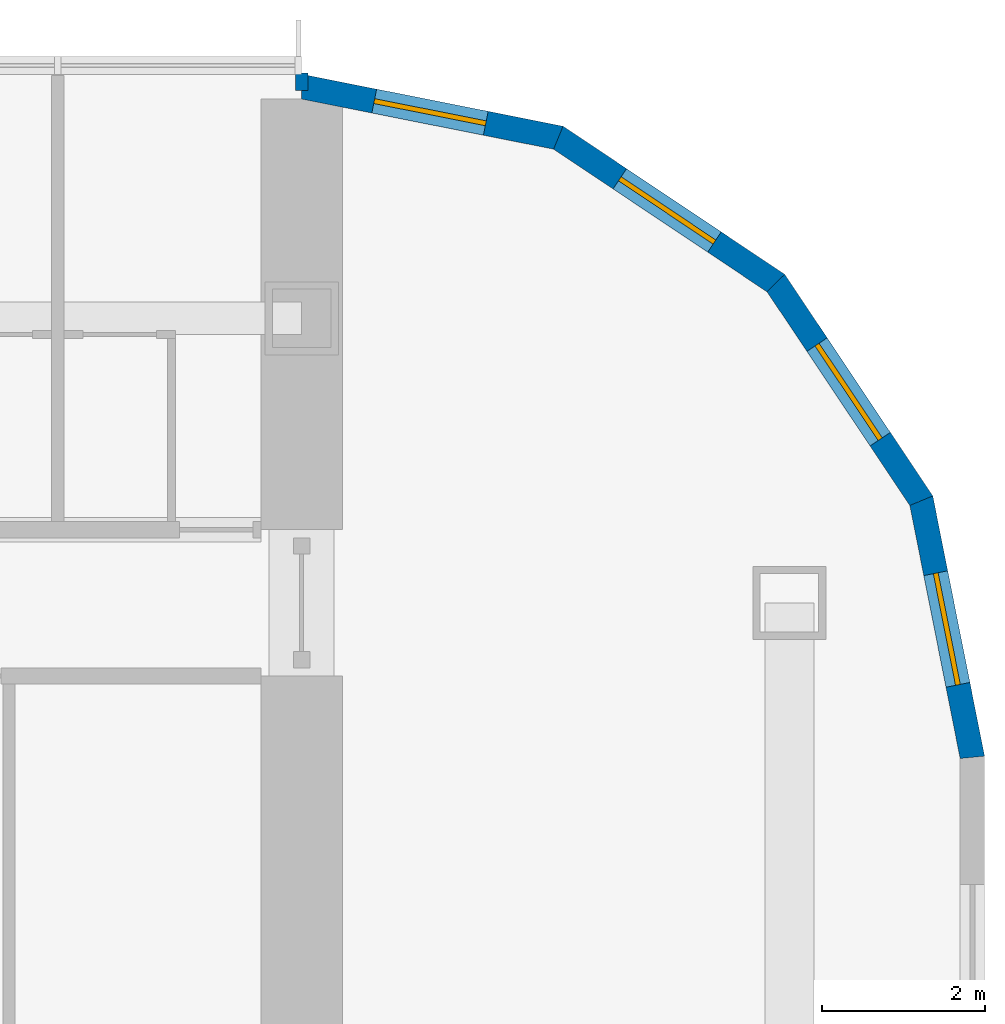
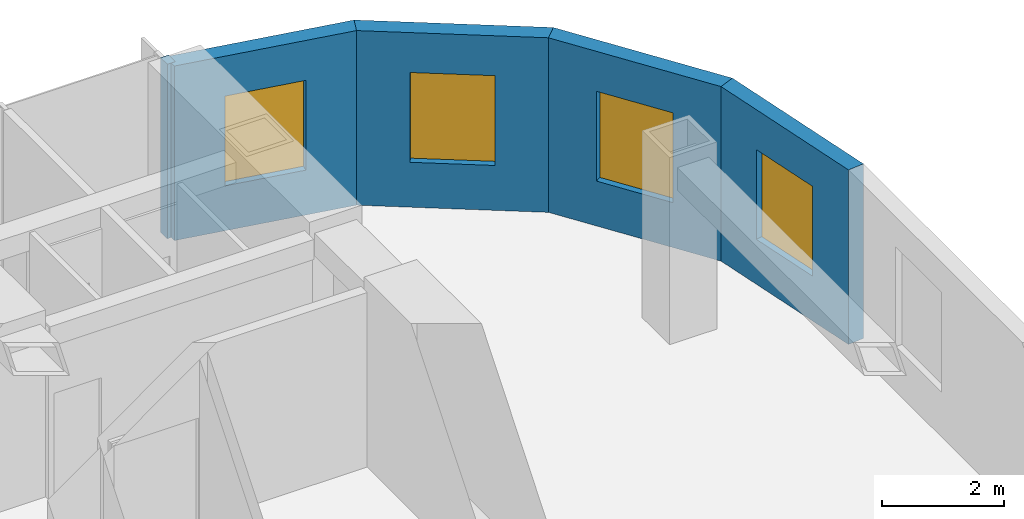
# One storey, part 20 of 25: 5 walls, 4 windows, 4 openings.
"""IFC4 building model written with IfcOpenShell, lengths in metres."""

from ifc_helpers import new_model, si_unit, direction, frame, frame_2d, origin, place, context, subcontext, project, spatial, polyline, rectangle, outline, extrude, material, layer, layer_set, type_object, element, fill, save


model = new_model("IFC4")

# Units and contexts
model_context = context("Model", 3, precision=1e-05, world=origin(), true_north=direction((0.0, 1.0)))
body_context = subcontext(model_context, "Body", "Model", "MODEL_VIEW")
ifc_project = project(units=[si_unit("LENGTHUNIT", "METRE"), si_unit("AREAUNIT", "SQUARE_METRE"), si_unit("VOLUMEUNIT", "CUBIC_METRE"), si_unit("PLANEANGLEUNIT", "RADIAN"), si_unit("MASSUNIT", "GRAM", prefix="KILO")], contexts=[model_context])

# Site, building, storey
site_placement = place(None, origin())
site = spatial("IfcSite", under=ifc_project, at=site_placement, CompositionType="ELEMENT")
building_placement = place(site_placement, origin())
building = spatial("IfcBuilding", under=site, at=building_placement, Name="Orbita Commons", CompositionType="ELEMENT")
storey_placement = place(building_placement, frame((0.0, 0.0, 31.449951171875)))
storey = spatial("IfcBuildingStorey", under=building, at=storey_placement, Name="L07", CompositionType="ELEMENT", Elevation=31.449951171875)

# Wall
ifc_material_1 = material(Name="Gypsum plasterboard on steel studs", Category="steel")
ifc_layer_1 = layer(ifc_material_1, 0.14990234375)
ifc_layer_set_1 = layer_set([ifc_layer_1], Name="Gypsum plasterboard on steel studs")
wall_type_1 = type_object("IfcWallType", Name="Partition 150 plasterboard", PredefinedType="PARTITIONING", material=ifc_layer_set_1)
wall_1_placement = place(storey_placement, frame((72.0, 56.39990234375, 0.0), z_axis=(0.0, 0.0, 1.0), x_axis=(0.0, 1.0, 0.0)))
element("IfcWall", 1, at=wall_1_placement, inside=storey, type_object=wall_type_1, Name="Partition 150 plasterboard L07", PredefinedType="PARTITIONING", context=body_context, shape_type="SweptSolid", body=[
    extrude(rectangle(XDim=0.22021484375, YDim=0.14990234375, at=frame_2d((0.110107421875, 0.0))), origin(), (0.0, 0.0, 1.0), 3.5),
])

# Wall, opening, window
ifc_material_2 = material(Name="Precast concrete C40/50, white board-marked finish", Category="concrete")
ifc_layer_2 = layer(ifc_material_2, 0.300048828125)
ifc_layer_set_2 = layer_set([ifc_layer_2], Name="Precast concrete C40/50, white board-marked finish")
wall_type_2 = type_object("IfcWallType", Name="Precast concrete end shield 300", PredefinedType="SOLIDWALL", material=ifc_layer_set_2)
wall_2_placement = place(storey_placement, frame((80.25, 48.199951171875, 0.0), z_axis=(0.0, 0.0, 1.0), x_axis=(-0.195065901187, 0.980790137692, 0.0)))
wall_2 = element("IfcWall", 2, at=wall_2_placement, inside=storey, type_object=wall_type_2, Name="End shield NE chord 1 L07", PredefinedType="SOLIDWALL", context=body_context, shape_type="SweptSolid", body=[
    extrude(outline(polyline([(-0.014892578125, -0.14990234375), (3.248779296875, -0.14990234375), (3.189208984375, 0.14990234375), (0.014892578125, 0.14990234375), (-0.014892578125, -0.14990234375)])), origin(), (0.0, 0.0, 1.0), 3.5),
])
opening_1_placement = place(wall_2_placement, frame((0.909423828125, 0.0, 0.89990234375)))
opening_1 = element("IfcOpeningElement", 3, at=opening_1_placement, cuts=wall_2, Name="Opening W02", PredefinedType="OPENING", context=body_context, shape_type="SweptSolid", body=[
    extrude(rectangle(XDim=1.39990234375, YDim=1.800048828125, at=frame_2d((0.699951171875, 0.89990234375))), frame((0.0, 0.159912109375, 0.0), z_axis=(0.0, -1.0, 0.0), x_axis=(1.0, 0.0, 0.0)), (0.0, 0.0, 1.0), 0.320068359375),
])
ifc_material_3 = material(Name="Aluminium frame, clear double glazing", Category="aluminium")
window_type = type_object("IfcWindowType", Name="Deep-set window 1400x1800", PartitioningType="SINGLE_PANEL", PredefinedType="WINDOW", material=ifc_material_3)
window_1_placement = place(opening_1_placement, origin())
window_1 = element("IfcWindow", 4, at=window_1_placement, inside=storey, type_object=window_type, Name="Window L07-NE0", OverallHeight=1.800048828125, OverallWidth=1.39990234375, PartitioningType="SINGLE_PANEL", PredefinedType="WINDOW", context=body_context, shape_type="SweptSolid", body=[
    extrude(rectangle(XDim=1.39990234375, YDim=1.800048828125, at=frame_2d((0.699951171875, 0.89990234375))), frame((0.0, 0.030029296875, 0.0), z_axis=(0.0, -1.0, 0.0), x_axis=(1.0, 0.0, 0.0)), (0.0, 0.0, 1.0), 0.06005859375),
])
fill(opening_1, window_1)

wall_3_placement = place(storey_placement, frame((79.6220703125, 51.357177734375, 0.0), z_axis=(0.0, 0.0, 1.0), x_axis=(-0.555609954424, 0.831443069936, 0.0)))
wall_3 = element("IfcWall", 5, at=wall_3_placement, inside=storey, type_object=wall_type_2, Name="End shield NE chord 2 L07", PredefinedType="SOLIDWALL", context=body_context, shape_type="SweptSolid", body=[
    extrude(outline(polyline([(-0.02978515625, -0.14990234375), (3.2490234375, -0.14990234375), (3.189453125, 0.14990234375), (0.02978515625, 0.14990234375), (-0.02978515625, -0.14990234375)])), origin(), (0.0, 0.0, 1.0), 3.5),
])
opening_2_placement = place(wall_3_placement, frame((0.909423828125, 0.0, 0.89990234375)))
opening_2 = element("IfcOpeningElement", 6, at=opening_2_placement, cuts=wall_3, Name="Opening W02", PredefinedType="OPENING", context=body_context, shape_type="SweptSolid", body=[
    extrude(rectangle(XDim=1.39990234375, YDim=1.800048828125, at=frame_2d((0.699951171875, 0.89990234375))), frame((0.0, 0.159912109375, 0.0), z_axis=(0.0, -1.0, 0.0), x_axis=(1.0, 0.0, 0.0)), (0.0, 0.0, 1.0), 0.320068359375),
])
window_2_placement = place(opening_2_placement, origin())
window_2 = element("IfcWindow", 7, at=window_2_placement, inside=storey, type_object=window_type, Name="Window L07-NE1", OverallHeight=1.800048828125, OverallWidth=1.39990234375, PartitioningType="SINGLE_PANEL", PredefinedType="WINDOW", context=body_context, shape_type="SweptSolid", body=[
    extrude(rectangle(XDim=1.39990234375, YDim=1.800048828125, at=frame_2d((0.699951171875, 0.89990234375))), frame((0.0, 0.030029296875, 0.0), z_axis=(0.0, -1.0, 0.0), x_axis=(1.0, 0.0, 0.0)), (0.0, 0.0, 1.0), 0.06005859375),
])
fill(opening_2, window_2)

wall_4_placement = place(storey_placement, frame((77.83349609375, 54.03369140625, 0.0), z_axis=(0.0, 0.0, 1.0), x_axis=(-0.831478105043, 0.555557522525, 0.0)))
wall_4 = element("IfcWall", 8, at=wall_4_placement, inside=storey, type_object=wall_type_2, Name="End shield NE chord 3 L07", PredefinedType="SOLIDWALL", context=body_context, shape_type="SweptSolid", body=[
    extrude(outline(polyline([(-0.02978515625, -0.14990234375), (3.248779296875, -0.14990234375), (3.189208984375, 0.14990234375), (0.02978515625, 0.14990234375), (-0.02978515625, -0.14990234375)])), origin(), (0.0, 0.0, 1.0), 3.5),
])
opening_3_placement = place(wall_4_placement, frame((0.909423828125, 0.0, 0.89990234375)))
opening_3 = element("IfcOpeningElement", 9, at=opening_3_placement, cuts=wall_4, Name="Opening W02", PredefinedType="OPENING", context=body_context, shape_type="SweptSolid", body=[
    extrude(rectangle(XDim=1.39990234375, YDim=1.800048828125, at=frame_2d((0.699951171875, 0.89990234375))), frame((0.0, 0.159912109375, 0.0), z_axis=(0.0, -1.0, 0.0), x_axis=(1.0, 0.0, 0.0)), (0.0, 0.0, 1.0), 0.320068359375),
])
window_3_placement = place(opening_3_placement, origin())
window_3 = element("IfcWindow", 10, at=window_3_placement, inside=storey, type_object=window_type, Name="Window L07-NE2", OverallHeight=1.800048828125, OverallWidth=1.39990234375, PartitioningType="SINGLE_PANEL", PredefinedType="WINDOW", context=body_context, shape_type="SweptSolid", body=[
    extrude(rectangle(XDim=1.39990234375, YDim=1.800048828125, at=frame_2d((0.699951171875, 0.89990234375))), frame((0.0, 0.030029296875, 0.0), z_axis=(0.0, -1.0, 0.0), x_axis=(1.0, 0.0, 0.0)), (0.0, 0.0, 1.0), 0.06005859375),
])
fill(opening_3, window_3)

wall_5_placement = place(storey_placement, frame((75.156982421875, 55.822021484375, 0.0), z_axis=(0.0, 0.0, 1.0), x_axis=(-0.980787251524, 0.195080412259, 0.0)))
wall_5 = element("IfcWall", 11, at=wall_5_placement, inside=storey, type_object=wall_type_2, Name="End shield NE chord 4 L07", PredefinedType="SOLIDWALL", context=body_context, shape_type="SweptSolid", body=[
    extrude(outline(polyline([(-0.02978515625, -0.14990234375), (3.24853515625, -0.14990234375), (3.18896484375, 0.14990234375), (0.02978515625, 0.14990234375), (-0.02978515625, -0.14990234375)])), origin(), (0.0, 0.0, 1.0), 3.5),
])
opening_4_placement = place(wall_5_placement, frame((0.909423828125, 0.0, 0.89990234375)))
opening_4 = element("IfcOpeningElement", 12, at=opening_4_placement, cuts=wall_5, Name="Opening W02", PredefinedType="OPENING", context=body_context, shape_type="SweptSolid", body=[
    extrude(rectangle(XDim=1.39990234375, YDim=1.800048828125, at=frame_2d((0.699951171875, 0.89990234375))), frame((0.0, 0.159912109375, 0.0), z_axis=(0.0, -1.0, 0.0), x_axis=(1.0, 0.0, 0.0)), (0.0, 0.0, 1.0), 0.320068359375),
])
window_4_placement = place(opening_4_placement, origin())
window_4 = element("IfcWindow", 13, at=window_4_placement, inside=storey, type_object=window_type, Name="Window L07-NE3", OverallHeight=1.800048828125, OverallWidth=1.39990234375, PartitioningType="SINGLE_PANEL", PredefinedType="WINDOW", context=body_context, shape_type="SweptSolid", body=[
    extrude(rectangle(XDim=1.39990234375, YDim=1.800048828125, at=frame_2d((0.699951171875, 0.89990234375))), frame((0.0, 0.030029296875, 0.0), z_axis=(0.0, -1.0, 0.0), x_axis=(1.0, 0.0, 0.0)), (0.0, 0.0, 1.0), 0.06005859375),
])
fill(opening_4, window_4)

save(model, "model.ifc")
